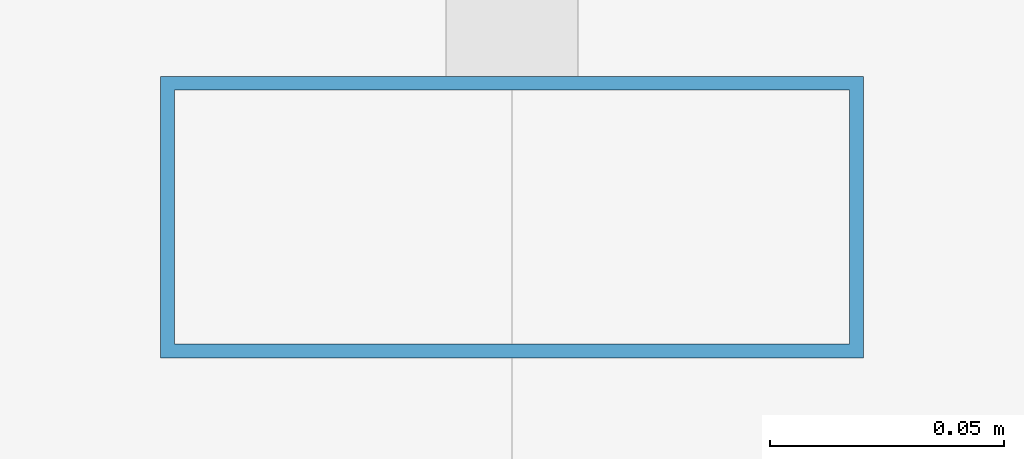
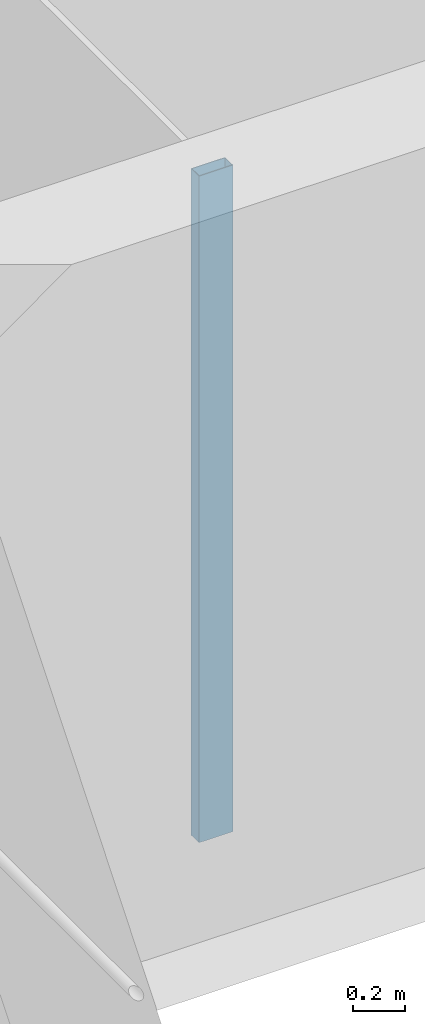
# One storey, part 11 of 30: 1 member, 1 element without a shape of its own.
"""IFC4 building model written with IfcOpenShell, lengths in metres."""

import ifcopenshell
import ifcopenshell.guid

model = None  # the IFC model being written
_history = None  # IfcOwnerHistory: only IFC2X3 demands one
_inside = {}  # id of a spatial element -> (the spatial element, [elements in it])
_under = {}  # id of a project, library or spatial element -> (it, [spatial elements below it])
_declared = {}  # id of a project -> (the project, [libraries it declares])
_typed = {}  # id of a type object -> (the type object, [elements of that type])
_made_of = {}  # id of a material, layer set ... -> (it, [elements and type objects made of it])


def new_model(schema):
    """Start an empty IFC model of exactly this schema.

    Asked for "IFC4X3", IfcOpenShell would pick the latest addendum, in which some entities
    have other attributes; the version numbers below select the first issue.
    IFC2X3 requires an IfcOwnerHistory on every rooted entity: one is made here for all.
    """
    global model, _history
    if schema == "IFC4X3":
        model = ifcopenshell.file(schema_version=(4, 3, 0, 0))
    else:
        model = ifcopenshell.file(schema=schema)
    _inside.clear()
    _under.clear()
    _declared.clear()
    _typed.clear()
    _made_of.clear()
    _history = None
    if model.schema == "IFC2X3":
        org = make("IfcOrganization", Name="unknown")
        user = make(
            "IfcPersonAndOrganization",
            ThePerson=make("IfcPerson", FamilyName="unknown"),
            TheOrganization=org,
        )
        app = make(
            "IfcApplication",
            ApplicationDeveloper=org,
            Version="unknown",
            ApplicationFullName="unknown",
            ApplicationIdentifier="unknown",
        )
        _history = make(
            "IfcOwnerHistory",
            OwningUser=user,
            OwningApplication=app,
            ChangeAction="ADDED",
            CreationDate=0,
        )
    return model


def make(cls, **values):
    """One entity of the class cls with the attributes given. An attribute that is None is left unset."""
    return model.create_entity(
        cls, **{name: value for name, value in values.items() if value is not None}
    )


def rooted(cls, **values):
    """An entity with a GlobalId (a new one), such as an element, a storey or a relation."""
    return make(cls, GlobalId=ifcopenshell.guid.new(), OwnerHistory=_history, **values)


def si_unit(unit_type, name, prefix=None):
    """IfcSIUnit, for example si_unit("LENGTHUNIT", "METRE", prefix="MILLI")."""
    return make("IfcSIUnit", UnitType=unit_type, Prefix=prefix, Name=name)


def assignment(units):
    """IfcUnitAssignment: the units of a project."""
    return None if units is None else make("IfcUnitAssignment", Units=units)


def point(xyz):
    """IfcCartesianPoint."""
    return None if xyz is None else make("IfcCartesianPoint", Coordinates=xyz)


def direction(xyz):
    """IfcDirection."""
    return None if xyz is None else make("IfcDirection", DirectionRatios=xyz)


def frame(location, z_axis=None, x_axis=None):
    """IfcAxis2Placement3D, a coordinate frame: its origin and axes. An axis left out is left unset."""
    return make(
        "IfcAxis2Placement3D",
        Location=point(location),
        Axis=direction(z_axis),
        RefDirection=direction(x_axis),
    )


def frame_2d(location, x_axis=None):
    """IfcAxis2Placement2D, a coordinate frame in the plane: its origin and x axis."""
    return make(
        "IfcAxis2Placement2D", Location=point(location), RefDirection=direction(x_axis)
    )


def origin():
    """The frame at (0, 0, 0) with its axes left unset."""
    return frame((0.0, 0.0, 0.0))


def origin_2d():
    """The frame at (0, 0) in the plane with its x axis left unset."""
    return frame_2d((0.0, 0.0))


def place(relative_to, where):
    """IfcLocalPlacement: puts the frame where relative to a parent placement (None: the world)."""
    return make(
        "IfcLocalPlacement", PlacementRelTo=relative_to, RelativePlacement=where
    )


def context(
    kind, dimensions, precision=None, world=None, true_north=None, identifier=None
):
    """IfcGeometricRepresentationContext, for example the 3D "Model" context."""
    return make(
        "IfcGeometricRepresentationContext",
        ContextIdentifier=identifier,
        ContextType=kind,
        CoordinateSpaceDimension=dimensions,
        Precision=precision,
        WorldCoordinateSystem=world,
        TrueNorth=true_north,
    )


def subcontext(parent, identifier, kind, view, scale=None):
    """IfcGeometricRepresentationSubContext, for example "Body" below "Model"."""
    return make(
        "IfcGeometricRepresentationSubContext",
        ContextIdentifier=identifier,
        ContextType=kind,
        ParentContext=parent,
        TargetScale=scale,
        TargetView=view,
    )


def project(units=None, contexts=None):
    """IfcProject with its units and contexts."""
    return rooted(
        "IfcProject",
        Name="project",
        RepresentationContexts=contexts,
        UnitsInContext=assignment(units),
    )


def spatial(cls, under=None, at=None, **own):
    """A site, building, storey or space (cls), placed at a placement, below another one or the project."""
    s = rooted(cls, ObjectPlacement=at, **own)
    if under is not None:
        _under.setdefault(under.id(), (under, []))[1].append(s)
    return s


def profile(cls, at=None, kind="AREA", **sizes):
    """A parametric profile (cls). Its sizes go by their IFC names, for example OverallWidth=200.0."""
    return make(cls, ProfileType=kind, Position=at, **sizes)


def hollow_rectangle(**sizes):
    """IfcRectangleHollowProfileDef."""
    return profile("IfcRectangleHollowProfileDef", **sizes)


def extrude(swept, where, along, depth):
    """IfcExtrudedAreaSolid: the profile swept, set in the frame where, extruded along a direction by depth."""
    return make(
        "IfcExtrudedAreaSolid",
        SweptArea=swept,
        Position=where,
        ExtrudedDirection=direction(along),
        Depth=depth,
    )


def shape(context_of_items, identifier, shape_type, items):
    """IfcShapeRepresentation: the items that make up one representation, for example the "Body"."""
    return make(
        "IfcShapeRepresentation",
        ContextOfItems=context_of_items,
        RepresentationIdentifier=identifier,
        RepresentationType=shape_type,
        Items=items,
    )


def material(Name=None, Category=None):
    """IfcMaterial."""
    return make("IfcMaterial", Name=Name, Category=Category)


def material_profile(
    of_material, cross_section, Name=None, Category=None, Priority=None
):
    """IfcMaterialProfile: a cross section and its material."""
    return make(
        "IfcMaterialProfile",
        Name=Name,
        Material=of_material,
        Profile=cross_section,
        Priority=Priority,
        Category=Category,
    )


def profile_set(profiles, Name=None, composite=None):
    """IfcMaterialProfileSet."""
    return make(
        "IfcMaterialProfileSet",
        Name=Name,
        MaterialProfiles=profiles,
        CompositeProfile=composite,
    )


def made_of(thing, what):
    """Note that an element or type object is made of a material, layer set ...; save() writes the relation."""
    if what is not None:
        _made_of.setdefault(what.id(), (what, []))[1].append(thing)
    return thing


def type_object(cls, material=None, **own):
    """A type object (cls), such as IfcWallType, which elements share."""
    return made_of(rooted(cls, **own), material)


def element(
    cls,
    number,
    at=None,
    inside=None,
    cuts=None,
    type_object=None,
    material=None,
    context=None,
    identifier="Body",
    shape_type=None,
    held_by="IfcProductDefinitionShape",
    body=None,
    shapes=None,
    **own,
):
    """One element of the class cls, such as IfcWall. Its Tag is "e" and its number.

    at: its placement. inside: the storey or other place that contains it. cuts: it is an
    opening in that element (IfcRelVoidsElement). A single representation is given by context,
    identifier, shape_type and body (its items); several are given by shapes. held_by: the class
    of the entity that holds the representations. save() writes the other relations.
    """
    e = rooted(cls, Tag="e%d" % number, ObjectPlacement=at, **own)
    if body is not None:
        shapes = [shape(context, identifier, shape_type, body)]
    if shapes is not None:
        e.Representation = make(held_by, Representations=shapes)
    if inside is not None:
        _inside.setdefault(inside.id(), (inside, []))[1].append(e)
    if cuts is not None:
        rooted(
            "IfcRelVoidsElement", RelatingBuildingElement=cuts, RelatedOpeningElement=e
        )
    if type_object is not None:
        _typed.setdefault(type_object.id(), (type_object, []))[1].append(e)
    return made_of(e, material)


def aggregate(whole, parts):
    """IfcRelAggregates: a whole, such as a stair, and the parts it consists of."""
    return rooted("IfcRelAggregates", RelatingObject=whole, RelatedObjects=parts)


def save(model, path):
    """Write the relations noted so far, then the file.

    IfcRelAggregates (storeys below a building ...), IfcRelContainedInSpatialStructure (elements
    in a storey), IfcRelDefinesByType, IfcRelAssociatesMaterial and IfcRelDeclares: one each for
    every whole, place, type object, material and project.
    """
    for whole, parts in _under.values():
        aggregate(whole, parts)
    for where, things in _inside.values():
        rooted(
            "IfcRelContainedInSpatialStructure",
            RelatedElements=things,
            RelatingStructure=where,
        )
    for kind, things in _typed.values():
        rooted("IfcRelDefinesByType", RelatedObjects=things, RelatingType=kind)
    for what, things in _made_of.values():
        rooted("IfcRelAssociatesMaterial", RelatedObjects=things, RelatingMaterial=what)
    for by, libraries in _declared.values():
        rooted("IfcRelDeclares", RelatingContext=by, RelatedDefinitions=libraries)
    model.write(path)


model = new_model("IFC4")

# Units and contexts
model_context = context("Model", 3, precision=1e-05, world=origin(), true_north=direction((0.0, 1.0)))
body_context = subcontext(model_context, "Body", "Model", "MODEL_VIEW")
ifc_project = project(units=[si_unit("LENGTHUNIT", "METRE"), si_unit("AREAUNIT", "SQUARE_METRE"), si_unit("VOLUMEUNIT", "CUBIC_METRE"), si_unit("PLANEANGLEUNIT", "RADIAN"), si_unit("MASSUNIT", "GRAM", prefix="KILO")], contexts=[model_context])

# Site, building, storey
site_placement = place(None, origin())
site = spatial("IfcSite", under=ifc_project, at=site_placement, CompositionType="ELEMENT")
building_placement = place(site_placement, origin())
building = spatial("IfcBuilding", under=site, at=building_placement, Name="Altepetl Exchange Towers", CompositionType="ELEMENT")
storey_placement = place(building_placement, frame((0.0, 0.0, 217.199951171875)))
storey = spatial("IfcBuildingStorey", under=building, at=storey_placement, Name="L55", CompositionType="ELEMENT", Elevation=217.199951171875)

# Curtain wall, member
ifc_material_1 = material(Name="Aluminium 6063-T6 glazing", Category="aluminium")
curtain_wall_type = type_object("IfcCurtainWallType", Name="Loggia glazing system", PredefinedType="NOTDEFINED", material=ifc_material_1)
curtain_wall_placement = place(storey_placement, origin())
curtain_wall = element("IfcCurtainWall", 1, at=curtain_wall_placement, inside=storey, type_object=curtain_wall_type, Name="CW1 run", PredefinedType="NOTDEFINED")
ifc_material_2 = material(Name="Aluminium 6063-T6", Category="aluminium")
ifc_material_profile = material_profile(ifc_material_2, hollow_rectangle(XDim=0.06005859375, YDim=0.14990234375, WallThickness=0.0029296875, at=origin_2d()), Name="Mullion 60x150 aluminium")
ifc_profile_set = profile_set([ifc_material_profile], Name="Aluminium 6063-T6")
member_type = type_object("IfcMemberType", Name="Mullion 60x150 aluminium", PredefinedType="MULLION", material=ifc_profile_set)
member_placement = place(storey_placement, frame((42.5, 58.60498046875, 0.0), z_axis=(0.0, 0.0, 1.0), x_axis=(0.0, -1.0, 0.0)))
member = element("IfcMember", 2, at=member_placement, type_object=member_type, Name="MU1 mullion", PredefinedType="MULLION", context=body_context, shape_type="SweptSolid", body=[
    extrude(hollow_rectangle(XDim=0.06005859375, YDim=0.14990234375, WallThickness=0.0029296875, at=origin_2d()), origin(), (0.0, 0.0, 1.0), 3.10009765625),
])
aggregate(curtain_wall, [member])

save(model, "model.ifc")
